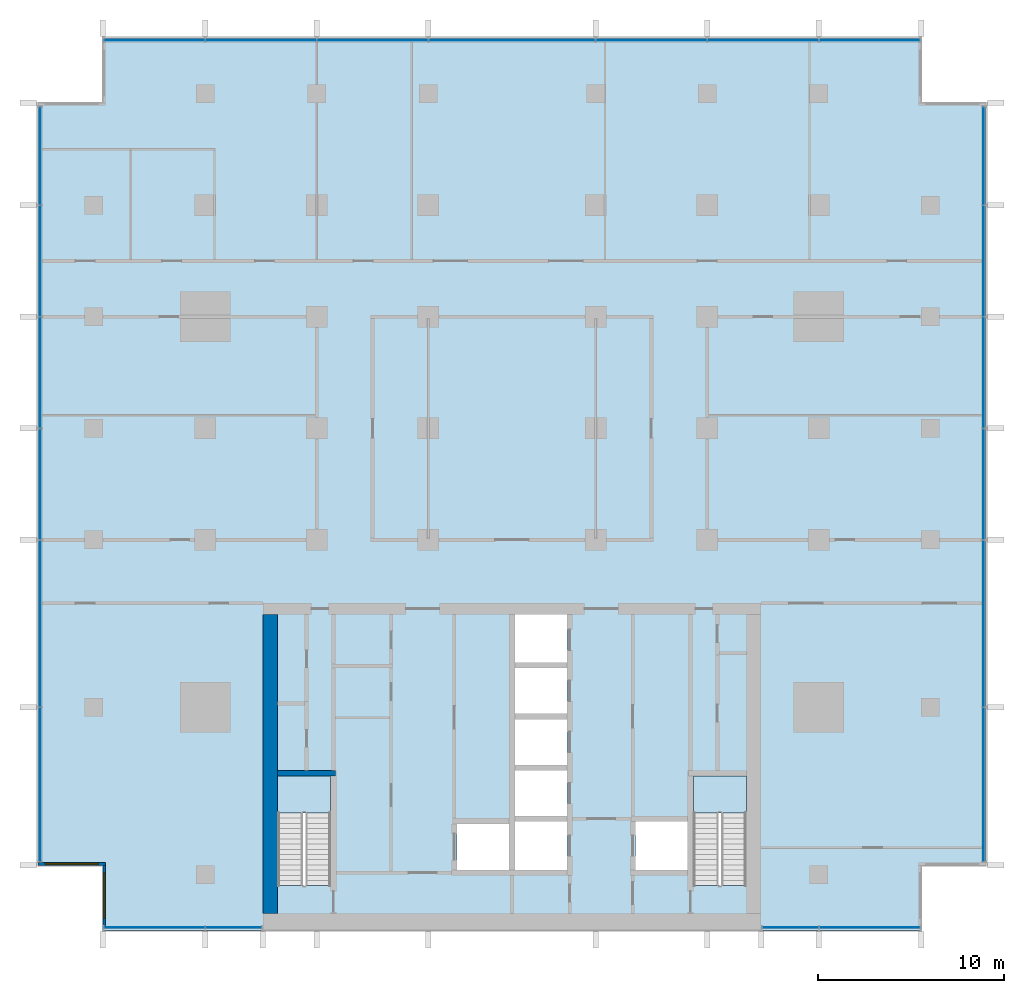
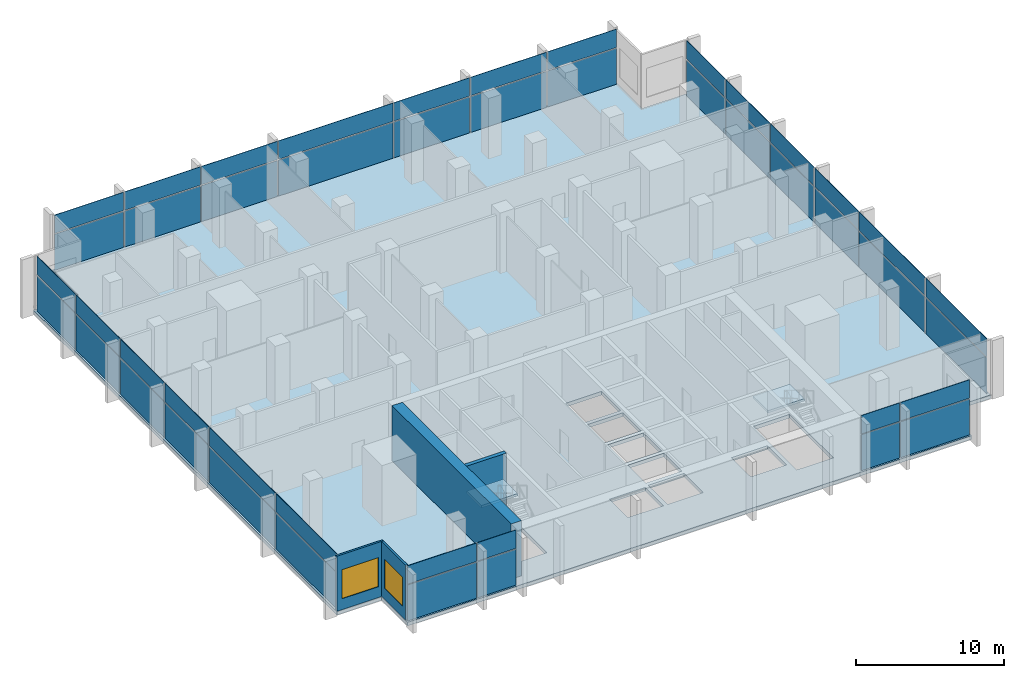
# One storey, part 6 of 15: 46 plates, 4 walls, 3 slabs, 2 windows, 2 openings, 7 elements without a shape of their own.
"""IFC4 building model written with IfcOpenShell, lengths in metres."""

from ifc_helpers import new_model, si_unit, direction, frame, frame_2d, origin, origin_2d, place, context, subcontext, project, spatial, polyline, rectangle, outline, extrude, material, layer, layer_set, type_object, element, fill, aggregate, save


model = new_model("IFC4")

# Units and contexts
model_context = context("Model", 3, precision=1e-05, world=origin(), true_north=direction((0.0, 1.0)))
body_context = subcontext(model_context, "Body", "Model", "MODEL_VIEW")
ifc_project = project(units=[si_unit("LENGTHUNIT", "METRE"), si_unit("AREAUNIT", "SQUARE_METRE"), si_unit("VOLUMEUNIT", "CUBIC_METRE"), si_unit("PLANEANGLEUNIT", "RADIAN"), si_unit("MASSUNIT", "GRAM", prefix="KILO")], contexts=[model_context])

# Site, building, storey
site_placement = place(None, origin())
site = spatial("IfcSite", under=ifc_project, at=site_placement, CompositionType="ELEMENT")
building_placement = place(site_placement, origin())
building = spatial("IfcBuilding", under=site, at=building_placement, Name="Finial Court Residences", CompositionType="ELEMENT")
storey_placement = place(building_placement, frame((0.0, 0.0, 138.89990234375)))
storey = spatial("IfcBuildingStorey", under=building, at=storey_placement, Name="L34", CompositionType="ELEMENT", Elevation=138.89990234375)

# Curtain wall, plates
ifc_material_1 = material(Name="Bronze anodised aluminium", Category="aluminium")
curtain_wall_type = type_object("IfcCurtainWallType", Name="Sky amenity glazing", PredefinedType="NOTDEFINED", material=ifc_material_1)
curtain_wall_1_placement = place(storey_placement, origin())
curtain_wall_1 = element("IfcCurtainWall", 1, at=curtain_wall_1_placement, inside=storey, type_object=curtain_wall_type, Name="E-L34-CW-N1", PredefinedType="NOTDEFINED")
ifc_material_2 = material(Name="Clear low-e glass", Category="glass")
ifc_layer_1 = layer(ifc_material_2, 0.035888671875)
ifc_layer_set_1 = layer_set([ifc_layer_1], Name="CW3 vision glass 36")
plate_type = type_object("IfcPlateType", Name="CW3 vision glass 36", PredefinedType="CURTAIN_PANEL", material=ifc_layer_set_1)
plate_1_placement = place(storey_placement, frame((-19.231201171875, 22.35009765625, 0.000244140625), z_axis=(0.0, 0.0, 1.0), x_axis=(1.0, 0.0, 0.0)))
plate_1 = element("IfcPlate", 2, at=plate_1_placement, type_object=plate_type, Name="CW3 glass 1.1", PredefinedType="CURTAIN_PANEL", context=body_context, shape_type="SweptSolid", body=[
    extrude(rectangle(XDim=5.387451171875, YDim=0.035888671875, at=origin_2d()), origin(), (0.0, 0.0, 1.0), 2.96240234375),
])
plate_2_placement = place(storey_placement, frame((-19.231201171875, 22.35009765625, 3.03759765625), z_axis=(0.0, 0.0, 1.0), x_axis=(1.0, 0.0, 0.0)))
plate_2 = element("IfcPlate", 3, at=plate_2_placement, type_object=plate_type, Name="CW3 glass 1.2", PredefinedType="CURTAIN_PANEL", context=body_context, shape_type="SweptSolid", body=[
    extrude(rectangle(XDim=5.387451171875, YDim=0.035888671875, at=origin_2d()), origin(), (0.0, 0.0, 1.0), 1.512451171875),
])
plate_3_placement = place(storey_placement, frame((-13.5, 22.35009765625, 0.000244140625), z_axis=(0.0, 0.0, 1.0), x_axis=(1.0, 0.0, 0.0)))
plate_3 = element("IfcPlate", 4, at=plate_3_placement, type_object=plate_type, Name="CW3 glass 2.1", PredefinedType="CURTAIN_PANEL", context=body_context, shape_type="SweptSolid", body=[
    extrude(rectangle(XDim=5.925048828125, YDim=0.035888671875, at=origin_2d()), origin(), (0.0, 0.0, 1.0), 2.96240234375),
])
plate_4_placement = place(storey_placement, frame((-13.5, 22.35009765625, 3.03759765625), z_axis=(0.0, 0.0, 1.0), x_axis=(1.0, 0.0, 0.0)))
plate_4 = element("IfcPlate", 5, at=plate_4_placement, type_object=plate_type, Name="CW3 glass 2.2", PredefinedType="CURTAIN_PANEL", context=body_context, shape_type="SweptSolid", body=[
    extrude(rectangle(XDim=5.925048828125, YDim=0.035888671875, at=origin_2d()), origin(), (0.0, 0.0, 1.0), 1.512451171875),
])
plate_5_placement = place(storey_placement, frame((-7.5, 22.35009765625, 0.000244140625), z_axis=(0.0, 0.0, 1.0), x_axis=(1.0, 0.0, 0.0)))
plate_5 = element("IfcPlate", 6, at=plate_5_placement, type_object=plate_type, Name="CW3 glass 3.1", PredefinedType="CURTAIN_PANEL", context=body_context, shape_type="SweptSolid", body=[
    extrude(rectangle(XDim=5.925048828125, YDim=0.035888671875, at=origin_2d()), origin(), (0.0, 0.0, 1.0), 2.96240234375),
])
plate_6_placement = place(storey_placement, frame((-7.5, 22.35009765625, 3.03759765625), z_axis=(0.0, 0.0, 1.0), x_axis=(1.0, 0.0, 0.0)))
plate_6 = element("IfcPlate", 7, at=plate_6_placement, type_object=plate_type, Name="CW3 glass 3.2", PredefinedType="CURTAIN_PANEL", context=body_context, shape_type="SweptSolid", body=[
    extrude(rectangle(XDim=5.925048828125, YDim=0.035888671875, at=origin_2d()), origin(), (0.0, 0.0, 1.0), 1.512451171875),
])
plate_7_placement = place(storey_placement, frame((0.0, 22.35009765625, 0.000244140625), z_axis=(0.0, 0.0, 1.0), x_axis=(1.0, 0.0, 0.0)))
plate_7 = element("IfcPlate", 8, at=plate_7_placement, type_object=plate_type, Name="CW3 glass 4.1", PredefinedType="CURTAIN_PANEL", context=body_context, shape_type="SweptSolid", body=[
    extrude(rectangle(XDim=8.925048828125, YDim=0.035888671875, at=origin_2d()), origin(), (0.0, 0.0, 1.0), 2.96240234375),
])
plate_8_placement = place(storey_placement, frame((0.0, 22.35009765625, 3.03759765625), z_axis=(0.0, 0.0, 1.0), x_axis=(1.0, 0.0, 0.0)))
plate_8 = element("IfcPlate", 9, at=plate_8_placement, type_object=plate_type, Name="CW3 glass 4.2", PredefinedType="CURTAIN_PANEL", context=body_context, shape_type="SweptSolid", body=[
    extrude(rectangle(XDim=8.925048828125, YDim=0.035888671875, at=origin_2d()), origin(), (0.0, 0.0, 1.0), 1.512451171875),
])
plate_9_placement = place(storey_placement, frame((7.5, 22.35009765625, 0.000244140625), z_axis=(0.0, 0.0, 1.0), x_axis=(1.0, 0.0, 0.0)))
plate_9 = element("IfcPlate", 10, at=plate_9_placement, type_object=plate_type, Name="CW3 glass 5.1", PredefinedType="CURTAIN_PANEL", context=body_context, shape_type="SweptSolid", body=[
    extrude(rectangle(XDim=5.925048828125, YDim=0.035888671875, at=origin_2d()), origin(), (0.0, 0.0, 1.0), 2.96240234375),
])
plate_10_placement = place(storey_placement, frame((7.5, 22.35009765625, 3.03759765625), z_axis=(0.0, 0.0, 1.0), x_axis=(1.0, 0.0, 0.0)))
plate_10 = element("IfcPlate", 11, at=plate_10_placement, type_object=plate_type, Name="CW3 glass 5.2", PredefinedType="CURTAIN_PANEL", context=body_context, shape_type="SweptSolid", body=[
    extrude(rectangle(XDim=5.925048828125, YDim=0.035888671875, at=origin_2d()), origin(), (0.0, 0.0, 1.0), 1.512451171875),
])
plate_11_placement = place(storey_placement, frame((13.5, 22.35009765625, 0.000244140625), z_axis=(0.0, 0.0, 1.0), x_axis=(1.0, 0.0, 0.0)))
plate_11 = element("IfcPlate", 12, at=plate_11_placement, type_object=plate_type, Name="CW3 glass 6.1", PredefinedType="CURTAIN_PANEL", context=body_context, shape_type="SweptSolid", body=[
    extrude(rectangle(XDim=5.925048828125, YDim=0.035888671875, at=origin_2d()), origin(), (0.0, 0.0, 1.0), 2.96240234375),
])
plate_12_placement = place(storey_placement, frame((13.5, 22.35009765625, 3.03759765625), z_axis=(0.0, 0.0, 1.0), x_axis=(1.0, 0.0, 0.0)))
plate_12 = element("IfcPlate", 13, at=plate_12_placement, type_object=plate_type, Name="CW3 glass 6.2", PredefinedType="CURTAIN_PANEL", context=body_context, shape_type="SweptSolid", body=[
    extrude(rectangle(XDim=5.925048828125, YDim=0.035888671875, at=origin_2d()), origin(), (0.0, 0.0, 1.0), 1.512451171875),
])
plate_13_placement = place(storey_placement, frame((19.231201171875, 22.35009765625, 0.000244140625), z_axis=(0.0, 0.0, 1.0), x_axis=(1.0, 0.0, 0.0)))
plate_13 = element("IfcPlate", 14, at=plate_13_placement, type_object=plate_type, Name="CW3 glass 7.1", PredefinedType="CURTAIN_PANEL", context=body_context, shape_type="SweptSolid", body=[
    extrude(rectangle(XDim=5.387451171875, YDim=0.035888671875, at=origin_2d()), origin(), (0.0, 0.0, 1.0), 2.96240234375),
])
plate_14_placement = place(storey_placement, frame((19.231201171875, 22.35009765625, 3.03759765625), z_axis=(0.0, 0.0, 1.0), x_axis=(1.0, 0.0, 0.0)))
plate_14 = element("IfcPlate", 15, at=plate_14_placement, type_object=plate_type, Name="CW3 glass 7.2", PredefinedType="CURTAIN_PANEL", context=body_context, shape_type="SweptSolid", body=[
    extrude(rectangle(XDim=5.387451171875, YDim=0.035888671875, at=origin_2d()), origin(), (0.0, 0.0, 1.0), 1.512451171875),
])
aggregate(curtain_wall_1, [plate_1, plate_2, plate_3, plate_4, plate_5, plate_6, plate_7, plate_8, plate_9, plate_10, plate_11, plate_12, plate_13, plate_14])

curtain_wall_2_placement = place(storey_placement, origin())
curtain_wall_2 = element("IfcCurtainWall", 16, at=curtain_wall_2_placement, inside=storey, type_object=curtain_wall_type, Name="E-L34-CW-E2", PredefinedType="NOTDEFINED")
plate_15_placement = place(storey_placement, frame((25.35009765625, -17.65625, 0.000244140625), z_axis=(0.0, 0.0, 1.0), x_axis=(0.0, 1.0, 0.0)))
plate_15 = element("IfcPlate", 17, at=plate_15_placement, type_object=plate_type, Name="CW3 glass 1.1", PredefinedType="CURTAIN_PANEL", context=body_context, shape_type="SweptSolid", body=[
    extrude(rectangle(XDim=8.237548828125, YDim=0.035888671875, at=origin_2d()), origin(), (0.0, 0.0, 1.0), 2.96240234375),
])
plate_16_placement = place(storey_placement, frame((25.35009765625, -17.65625, 3.03759765625), z_axis=(0.0, 0.0, 1.0), x_axis=(0.0, 1.0, 0.0)))
plate_16 = element("IfcPlate", 18, at=plate_16_placement, type_object=plate_type, Name="CW3 glass 1.2", PredefinedType="CURTAIN_PANEL", context=body_context, shape_type="SweptSolid", body=[
    extrude(rectangle(XDim=8.237548828125, YDim=0.035888671875, at=origin_2d()), origin(), (0.0, 0.0, 1.0), 1.512451171875),
])
plate_17_placement = place(storey_placement, frame((25.35009765625, -9.0, 0.000244140625), z_axis=(0.0, 0.0, 1.0), x_axis=(0.0, 1.0, 0.0)))
plate_17 = element("IfcPlate", 19, at=plate_17_placement, type_object=plate_type, Name="CW3 glass 2.1", PredefinedType="CURTAIN_PANEL", context=body_context, shape_type="SweptSolid", body=[
    extrude(rectangle(XDim=8.925048828125, YDim=0.035888671875, at=origin_2d()), origin(), (0.0, 0.0, 1.0), 2.96240234375),
])
plate_18_placement = place(storey_placement, frame((25.35009765625, -9.0, 3.03759765625), z_axis=(0.0, 0.0, 1.0), x_axis=(0.0, 1.0, 0.0)))
plate_18 = element("IfcPlate", 20, at=plate_18_placement, type_object=plate_type, Name="CW3 glass 2.2", PredefinedType="CURTAIN_PANEL", context=body_context, shape_type="SweptSolid", body=[
    extrude(rectangle(XDim=8.925048828125, YDim=0.035888671875, at=origin_2d()), origin(), (0.0, 0.0, 1.0), 1.512451171875),
])
plate_19_placement = place(storey_placement, frame((25.35009765625, -1.5, 0.000244140625), z_axis=(0.0, 0.0, 1.0), x_axis=(0.0, 1.0, 0.0)))
plate_19 = element("IfcPlate", 21, at=plate_19_placement, type_object=plate_type, Name="CW3 glass 3.1", PredefinedType="CURTAIN_PANEL", context=body_context, shape_type="SweptSolid", body=[
    extrude(rectangle(XDim=5.925048828125, YDim=0.035888671875, at=origin_2d()), origin(), (0.0, 0.0, 1.0), 2.96240234375),
])
plate_20_placement = place(storey_placement, frame((25.35009765625, -1.5, 3.03759765625), z_axis=(0.0, 0.0, 1.0), x_axis=(0.0, 1.0, 0.0)))
plate_20 = element("IfcPlate", 22, at=plate_20_placement, type_object=plate_type, Name="CW3 glass 3.2", PredefinedType="CURTAIN_PANEL", context=body_context, shape_type="SweptSolid", body=[
    extrude(rectangle(XDim=5.925048828125, YDim=0.035888671875, at=origin_2d()), origin(), (0.0, 0.0, 1.0), 1.512451171875),
])
plate_21_placement = place(storey_placement, frame((25.35009765625, 4.5, 0.000244140625), z_axis=(0.0, 0.0, 1.0), x_axis=(0.0, 1.0, 0.0)))
plate_21 = element("IfcPlate", 23, at=plate_21_placement, type_object=plate_type, Name="CW3 glass 4.1", PredefinedType="CURTAIN_PANEL", context=body_context, shape_type="SweptSolid", body=[
    extrude(rectangle(XDim=5.925048828125, YDim=0.035888671875, at=origin_2d()), origin(), (0.0, 0.0, 1.0), 2.96240234375),
])
plate_22_placement = place(storey_placement, frame((25.35009765625, 4.5, 3.03759765625), z_axis=(0.0, 0.0, 1.0), x_axis=(0.0, 1.0, 0.0)))
plate_22 = element("IfcPlate", 24, at=plate_22_placement, type_object=plate_type, Name="CW3 glass 4.2", PredefinedType="CURTAIN_PANEL", context=body_context, shape_type="SweptSolid", body=[
    extrude(rectangle(XDim=5.925048828125, YDim=0.035888671875, at=origin_2d()), origin(), (0.0, 0.0, 1.0), 1.512451171875),
])
plate_23_placement = place(storey_placement, frame((25.35009765625, 10.5, 0.000244140625), z_axis=(0.0, 0.0, 1.0), x_axis=(0.0, 1.0, 0.0)))
plate_23 = element("IfcPlate", 25, at=plate_23_placement, type_object=plate_type, Name="CW3 glass 5.1", PredefinedType="CURTAIN_PANEL", context=body_context, shape_type="SweptSolid", body=[
    extrude(rectangle(XDim=5.925048828125, YDim=0.035888671875, at=origin_2d()), origin(), (0.0, 0.0, 1.0), 2.96240234375),
])
plate_24_placement = place(storey_placement, frame((25.35009765625, 10.5, 3.03759765625), z_axis=(0.0, 0.0, 1.0), x_axis=(0.0, 1.0, 0.0)))
plate_24 = element("IfcPlate", 26, at=plate_24_placement, type_object=plate_type, Name="CW3 glass 5.2", PredefinedType="CURTAIN_PANEL", context=body_context, shape_type="SweptSolid", body=[
    extrude(rectangle(XDim=5.925048828125, YDim=0.035888671875, at=origin_2d()), origin(), (0.0, 0.0, 1.0), 1.512451171875),
])
plate_25_placement = place(storey_placement, frame((25.35009765625, 16.15625, 0.000244140625), z_axis=(0.0, 0.0, 1.0), x_axis=(0.0, 1.0, 0.0)))
plate_25 = element("IfcPlate", 27, at=plate_25_placement, type_object=plate_type, Name="CW3 glass 6.1", PredefinedType="CURTAIN_PANEL", context=body_context, shape_type="SweptSolid", body=[
    extrude(rectangle(XDim=5.237548828125, YDim=0.035888671875, at=origin_2d()), origin(), (0.0, 0.0, 1.0), 2.96240234375),
])
plate_26_placement = place(storey_placement, frame((25.35009765625, 16.15625, 3.03759765625), z_axis=(0.0, 0.0, 1.0), x_axis=(0.0, 1.0, 0.0)))
plate_26 = element("IfcPlate", 28, at=plate_26_placement, type_object=plate_type, Name="CW3 glass 6.2", PredefinedType="CURTAIN_PANEL", context=body_context, shape_type="SweptSolid", body=[
    extrude(rectangle(XDim=5.237548828125, YDim=0.035888671875, at=origin_2d()), origin(), (0.0, 0.0, 1.0), 1.512451171875),
])
aggregate(curtain_wall_2, [plate_15, plate_16, plate_17, plate_18, plate_19, plate_20, plate_21, plate_22, plate_23, plate_24, plate_25, plate_26])

curtain_wall_3_placement = place(storey_placement, origin())
curtain_wall_3 = element("IfcCurtainWall", 29, at=curtain_wall_3_placement, inside=storey, type_object=curtain_wall_type, Name="E-L34-CW-S3", PredefinedType="NOTDEFINED")
plate_27_placement = place(storey_placement, frame((-19.231201171875, -25.35009765625, 0.000244140625), z_axis=(0.0, 0.0, 1.0), x_axis=(1.0, 0.0, 0.0)))
plate_27 = element("IfcPlate", 30, at=plate_27_placement, type_object=plate_type, Name="CW3 glass 1.1", PredefinedType="CURTAIN_PANEL", context=body_context, shape_type="SweptSolid", body=[
    extrude(rectangle(XDim=5.387451171875, YDim=0.035888671875, at=origin_2d()), origin(), (0.0, 0.0, 1.0), 2.96240234375),
])
plate_28_placement = place(storey_placement, frame((-19.231201171875, -25.35009765625, 3.03759765625), z_axis=(0.0, 0.0, 1.0), x_axis=(1.0, 0.0, 0.0)))
plate_28 = element("IfcPlate", 31, at=plate_28_placement, type_object=plate_type, Name="CW3 glass 1.2", PredefinedType="CURTAIN_PANEL", context=body_context, shape_type="SweptSolid", body=[
    extrude(rectangle(XDim=5.387451171875, YDim=0.035888671875, at=origin_2d()), origin(), (0.0, 0.0, 1.0), 1.512451171875),
])
plate_29_placement = place(storey_placement, frame((-14.96875, -25.35009765625, 0.000244140625), z_axis=(0.0, 0.0, 1.0), x_axis=(1.0, 0.0, 0.0)))
plate_29 = element("IfcPlate", 32, at=plate_29_placement, type_object=plate_type, Name="CW3 glass 2.1", PredefinedType="CURTAIN_PANEL", context=body_context, shape_type="SweptSolid", body=[
    extrude(rectangle(XDim=2.987548828125, YDim=0.035888671875, at=origin_2d()), origin(), (0.0, 0.0, 1.0), 2.96240234375),
])
plate_30_placement = place(storey_placement, frame((-14.96875, -25.35009765625, 3.03759765625), z_axis=(0.0, 0.0, 1.0), x_axis=(1.0, 0.0, 0.0)))
plate_30 = element("IfcPlate", 33, at=plate_30_placement, type_object=plate_type, Name="CW3 glass 2.2", PredefinedType="CURTAIN_PANEL", context=body_context, shape_type="SweptSolid", body=[
    extrude(rectangle(XDim=2.987548828125, YDim=0.035888671875, at=origin_2d()), origin(), (0.0, 0.0, 1.0), 1.512451171875),
])
aggregate(curtain_wall_3, [plate_27, plate_28, plate_29, plate_30])

curtain_wall_4_placement = place(storey_placement, origin())
curtain_wall_4 = element("IfcCurtainWall", 34, at=curtain_wall_4_placement, inside=storey, type_object=curtain_wall_type, Name="E-L34-CW-S4", PredefinedType="NOTDEFINED")
plate_31_placement = place(storey_placement, frame((14.96875, -25.35009765625, 0.000244140625), z_axis=(0.0, 0.0, 1.0), x_axis=(1.0, 0.0, 0.0)))
plate_31 = element("IfcPlate", 35, at=plate_31_placement, type_object=plate_type, Name="CW3 glass 1.1", PredefinedType="CURTAIN_PANEL", context=body_context, shape_type="SweptSolid", body=[
    extrude(rectangle(XDim=2.987548828125, YDim=0.035888671875, at=origin_2d()), origin(), (0.0, 0.0, 1.0), 2.96240234375),
])
plate_32_placement = place(storey_placement, frame((14.96875, -25.35009765625, 3.03759765625), z_axis=(0.0, 0.0, 1.0), x_axis=(1.0, 0.0, 0.0)))
plate_32 = element("IfcPlate", 36, at=plate_32_placement, type_object=plate_type, Name="CW3 glass 1.2", PredefinedType="CURTAIN_PANEL", context=body_context, shape_type="SweptSolid", body=[
    extrude(rectangle(XDim=2.987548828125, YDim=0.035888671875, at=origin_2d()), origin(), (0.0, 0.0, 1.0), 1.512451171875),
])
plate_33_placement = place(storey_placement, frame((19.231201171875, -25.35009765625, 0.000244140625), z_axis=(0.0, 0.0, 1.0), x_axis=(1.0, 0.0, 0.0)))
plate_33 = element("IfcPlate", 37, at=plate_33_placement, type_object=plate_type, Name="CW3 glass 2.1", PredefinedType="CURTAIN_PANEL", context=body_context, shape_type="SweptSolid", body=[
    extrude(rectangle(XDim=5.387451171875, YDim=0.035888671875, at=origin_2d()), origin(), (0.0, 0.0, 1.0), 2.96240234375),
])
plate_34_placement = place(storey_placement, frame((19.231201171875, -25.35009765625, 3.03759765625), z_axis=(0.0, 0.0, 1.0), x_axis=(1.0, 0.0, 0.0)))
plate_34 = element("IfcPlate", 38, at=plate_34_placement, type_object=plate_type, Name="CW3 glass 2.2", PredefinedType="CURTAIN_PANEL", context=body_context, shape_type="SweptSolid", body=[
    extrude(rectangle(XDim=5.387451171875, YDim=0.035888671875, at=origin_2d()), origin(), (0.0, 0.0, 1.0), 1.512451171875),
])
aggregate(curtain_wall_4, [plate_31, plate_32, plate_33, plate_34])

curtain_wall_5_placement = place(storey_placement, origin())
curtain_wall_5 = element("IfcCurtainWall", 39, at=curtain_wall_5_placement, inside=storey, type_object=curtain_wall_type, Name="E-L34-CW-W5", PredefinedType="NOTDEFINED")
plate_35_placement = place(storey_placement, frame((-25.35009765625, -17.65625, 0.000244140625), z_axis=(0.0, 0.0, 1.0), x_axis=(0.0, 1.0, 0.0)))
plate_35 = element("IfcPlate", 40, at=plate_35_placement, type_object=plate_type, Name="CW3 glass 1.1", PredefinedType="CURTAIN_PANEL", context=body_context, shape_type="SweptSolid", body=[
    extrude(rectangle(XDim=8.237548828125, YDim=0.035888671875, at=origin_2d()), origin(), (0.0, 0.0, 1.0), 2.96240234375),
])
plate_36_placement = place(storey_placement, frame((-25.35009765625, -17.65625, 3.03759765625), z_axis=(0.0, 0.0, 1.0), x_axis=(0.0, 1.0, 0.0)))
plate_36 = element("IfcPlate", 41, at=plate_36_placement, type_object=plate_type, Name="CW3 glass 1.2", PredefinedType="CURTAIN_PANEL", context=body_context, shape_type="SweptSolid", body=[
    extrude(rectangle(XDim=8.237548828125, YDim=0.035888671875, at=origin_2d()), origin(), (0.0, 0.0, 1.0), 1.512451171875),
])
plate_37_placement = place(storey_placement, frame((-25.35009765625, -9.0, 0.000244140625), z_axis=(0.0, 0.0, 1.0), x_axis=(0.0, 1.0, 0.0)))
plate_37 = element("IfcPlate", 42, at=plate_37_placement, type_object=plate_type, Name="CW3 glass 2.1", PredefinedType="CURTAIN_PANEL", context=body_context, shape_type="SweptSolid", body=[
    extrude(rectangle(XDim=8.925048828125, YDim=0.035888671875, at=origin_2d()), origin(), (0.0, 0.0, 1.0), 2.96240234375),
])
plate_38_placement = place(storey_placement, frame((-25.35009765625, -9.0, 3.03759765625), z_axis=(0.0, 0.0, 1.0), x_axis=(0.0, 1.0, 0.0)))
plate_38 = element("IfcPlate", 43, at=plate_38_placement, type_object=plate_type, Name="CW3 glass 2.2", PredefinedType="CURTAIN_PANEL", context=body_context, shape_type="SweptSolid", body=[
    extrude(rectangle(XDim=8.925048828125, YDim=0.035888671875, at=origin_2d()), origin(), (0.0, 0.0, 1.0), 1.512451171875),
])
plate_39_placement = place(storey_placement, frame((-25.35009765625, -1.5, 0.000244140625), z_axis=(0.0, 0.0, 1.0), x_axis=(0.0, 1.0, 0.0)))
plate_39 = element("IfcPlate", 44, at=plate_39_placement, type_object=plate_type, Name="CW3 glass 3.1", PredefinedType="CURTAIN_PANEL", context=body_context, shape_type="SweptSolid", body=[
    extrude(rectangle(XDim=5.925048828125, YDim=0.035888671875, at=origin_2d()), origin(), (0.0, 0.0, 1.0), 2.96240234375),
])
plate_40_placement = place(storey_placement, frame((-25.35009765625, -1.5, 3.03759765625), z_axis=(0.0, 0.0, 1.0), x_axis=(0.0, 1.0, 0.0)))
plate_40 = element("IfcPlate", 45, at=plate_40_placement, type_object=plate_type, Name="CW3 glass 3.2", PredefinedType="CURTAIN_PANEL", context=body_context, shape_type="SweptSolid", body=[
    extrude(rectangle(XDim=5.925048828125, YDim=0.035888671875, at=origin_2d()), origin(), (0.0, 0.0, 1.0), 1.512451171875),
])
plate_41_placement = place(storey_placement, frame((-25.35009765625, 4.5, 0.000244140625), z_axis=(0.0, 0.0, 1.0), x_axis=(0.0, 1.0, 0.0)))
plate_41 = element("IfcPlate", 46, at=plate_41_placement, type_object=plate_type, Name="CW3 glass 4.1", PredefinedType="CURTAIN_PANEL", context=body_context, shape_type="SweptSolid", body=[
    extrude(rectangle(XDim=5.925048828125, YDim=0.035888671875, at=origin_2d()), origin(), (0.0, 0.0, 1.0), 2.96240234375),
])
plate_42_placement = place(storey_placement, frame((-25.35009765625, 4.5, 3.03759765625), z_axis=(0.0, 0.0, 1.0), x_axis=(0.0, 1.0, 0.0)))
plate_42 = element("IfcPlate", 47, at=plate_42_placement, type_object=plate_type, Name="CW3 glass 4.2", PredefinedType="CURTAIN_PANEL", context=body_context, shape_type="SweptSolid", body=[
    extrude(rectangle(XDim=5.925048828125, YDim=0.035888671875, at=origin_2d()), origin(), (0.0, 0.0, 1.0), 1.512451171875),
])
plate_43_placement = place(storey_placement, frame((-25.35009765625, 10.5, 0.000244140625), z_axis=(0.0, 0.0, 1.0), x_axis=(0.0, 1.0, 0.0)))
plate_43 = element("IfcPlate", 48, at=plate_43_placement, type_object=plate_type, Name="CW3 glass 5.1", PredefinedType="CURTAIN_PANEL", context=body_context, shape_type="SweptSolid", body=[
    extrude(rectangle(XDim=5.925048828125, YDim=0.035888671875, at=origin_2d()), origin(), (0.0, 0.0, 1.0), 2.96240234375),
])
plate_44_placement = place(storey_placement, frame((-25.35009765625, 10.5, 3.03759765625), z_axis=(0.0, 0.0, 1.0), x_axis=(0.0, 1.0, 0.0)))
plate_44 = element("IfcPlate", 49, at=plate_44_placement, type_object=plate_type, Name="CW3 glass 5.2", PredefinedType="CURTAIN_PANEL", context=body_context, shape_type="SweptSolid", body=[
    extrude(rectangle(XDim=5.925048828125, YDim=0.035888671875, at=origin_2d()), origin(), (0.0, 0.0, 1.0), 1.512451171875),
])
plate_45_placement = place(storey_placement, frame((-25.35009765625, 16.15625, 0.000244140625), z_axis=(0.0, 0.0, 1.0), x_axis=(0.0, 1.0, 0.0)))
plate_45 = element("IfcPlate", 50, at=plate_45_placement, type_object=plate_type, Name="CW3 glass 6.1", PredefinedType="CURTAIN_PANEL", context=body_context, shape_type="SweptSolid", body=[
    extrude(rectangle(XDim=5.237548828125, YDim=0.035888671875, at=origin_2d()), origin(), (0.0, 0.0, 1.0), 2.96240234375),
])
plate_46_placement = place(storey_placement, frame((-25.35009765625, 16.15625, 3.03759765625), z_axis=(0.0, 0.0, 1.0), x_axis=(0.0, 1.0, 0.0)))
plate_46 = element("IfcPlate", 51, at=plate_46_placement, type_object=plate_type, Name="CW3 glass 6.2", PredefinedType="CURTAIN_PANEL", context=body_context, shape_type="SweptSolid", body=[
    extrude(rectangle(XDim=5.237548828125, YDim=0.035888671875, at=origin_2d()), origin(), (0.0, 0.0, 1.0), 1.512451171875),
])
aggregate(curtain_wall_5, [plate_35, plate_36, plate_37, plate_38, plate_39, plate_40, plate_41, plate_42, plate_43, plate_44, plate_45, plate_46])

# Stair, slab
ifc_material_3 = material(Name="Concrete C50/60", Category="concrete")
stair_type = type_object("IfcStairType", Name="Exit stair 30 risers of 166.7 mm", PredefinedType="HALF_TURN_STAIR", material=ifc_material_3)
stair_1_placement = place(storey_placement, origin())
stair_1 = element("IfcStair", 52, at=stair_1_placement, inside=storey, type_object=stair_type, Name="L34 Exit stair ST-1", PredefinedType="HALF_TURN_STAIR")
ifc_layer_2 = layer(ifc_material_3, 0.199951171875)
ifc_layer_set_2 = layer_set([ifc_layer_2], Name="Exit stair landing")
slab_type_1 = type_object("IfcSlabType", Name="Exit stair landing", PredefinedType="LANDING", material=ifc_layer_set_2)
slab_1_placement = place(storey_placement, frame((0.0, 0.0, 2.300048828125)))
slab_1 = element("IfcSlab", 53, at=slab_1_placement, type_object=slab_type_1, Name="ST-1 landing 1", PredefinedType="LANDING", context=body_context, shape_type="SweptSolid", body=[
    extrude(outline(polyline([(-9.75, -19.179931640625), (-9.75, -17.199951171875), (-12.60009765625, -17.199951171875), (-12.60009765625, -19.179931640625), (-9.75, -19.179931640625)])), origin(), (0.0, 0.0, 1.0), 0.199951171875),
])
aggregate(stair_1, [slab_1])

stair_2_placement = place(storey_placement, origin())
stair_2 = element("IfcStair", 54, at=stair_2_placement, inside=storey, type_object=stair_type, Name="L34 Exit stair ST-2", PredefinedType="HALF_TURN_STAIR")
slab_2_placement = place(storey_placement, frame((0.0, 0.0, 2.300048828125)))
slab_2 = element("IfcSlab", 55, at=slab_2_placement, type_object=slab_type_1, Name="ST-2 landing 1", PredefinedType="LANDING", context=body_context, shape_type="SweptSolid", body=[
    extrude(outline(polyline([(12.60009765625, -19.179931640625), (12.60009765625, -17.199951171875), (9.75, -17.199951171875), (9.75, -19.179931640625), (12.60009765625, -19.179931640625)])), origin(), (0.0, 0.0, 1.0), 0.199951171875),
])
aggregate(stair_2, [slab_2])

# Slab
ifc_material_4 = material(Name="Concrete C40/50", Category="concrete")
ifc_layer_3 = layer(ifc_material_4, 0.300048828125)
ifc_layer_set_3 = layer_set([ifc_layer_3], Name="Flat plate slab 300 Concrete C40/50")
slab_type_2 = type_object("IfcSlabType", Name="Flat plate slab 300 Concrete C40/50", PredefinedType="FLOOR", material=ifc_layer_set_3)
slab_3_placement = place(storey_placement, frame((0.0, 0.0, -0.2998046875)))
element("IfcSlab", 56, at=slab_3_placement, inside=storey, type_object=slab_type_2, Name="S:SLAB:L34", PredefinedType="FLOOR", context=body_context, shape_type="SweptSolid", body=[
    extrude(outline(polyline([(22.0, -25.5), (-22.0, -25.5), (-22.0, -22.0), (-25.5, -22.0), (-25.5, 19.0), (-22.0, 19.0), (-22.0, 22.5), (22.0, 22.5), (22.0, 19.0), (25.5, 19.0), (25.5, -22.0), (22.0, -22.0), (22.0, -25.5)]), holes=[polyline([(-0.14990234375, -19.77001953125), (-2.949951171875, -19.77001953125), (-2.949951171875, -22.25), (-0.14990234375, -22.25), (-0.14990234375, -19.77001953125)]), polyline([(2.949951171875, -19.64990234375), (0.14990234375, -19.64990234375), (0.14990234375, -22.25), (2.949951171875, -22.25), (2.949951171875, -19.64990234375)]), polyline([(9.449951171875, -19.64990234375), (6.64990234375, -19.64990234375), (6.64990234375, -22.25), (9.449951171875, -22.25), (9.449951171875, -19.64990234375)]), polyline([(-12.60009765625, -17.199951171875), (-12.60009765625, -23.09912109375), (-9.75, -23.09912109375), (-9.75, -17.199951171875), (-12.60009765625, -17.199951171875)]), polyline([(9.75, -17.199951171875), (9.75, -23.09912109375), (12.60009765625, -23.09912109375), (12.60009765625, -17.199951171875), (9.75, -17.199951171875)]), polyline([(2.949951171875, -16.89990234375), (0.14990234375, -16.89990234375), (0.14990234375, -19.35009765625), (2.949951171875, -19.35009765625), (2.949951171875, -16.89990234375)]), polyline([(2.949951171875, -14.14990234375), (0.14990234375, -14.14990234375), (0.14990234375, -16.60009765625), (2.949951171875, -16.60009765625), (2.949951171875, -14.14990234375)]), polyline([(2.949951171875, -13.85009765625), (2.949951171875, -11.39990234375), (0.14990234375, -11.39990234375), (0.14990234375, -13.85009765625), (2.949951171875, -13.85009765625)]), polyline([(2.949951171875, -11.10009765625), (2.949951171875, -8.5), (0.14990234375, -8.5), (0.14990234375, -11.10009765625), (2.949951171875, -11.10009765625)])]), origin(), (0.0, 0.0, 1.0), 0.2998046875),
])

# Walls
ifc_material_5 = material(Name="Concrete C70/85", Category="concrete")
ifc_layer_4 = layer(ifc_material_5, 0.800048828125)
ifc_layer_set_4 = layer_set([ifc_layer_4], Name="Core outer wall 800 Concrete C70/85")
wall_type_1 = type_object("IfcWallType", Name="Core outer wall 800 Concrete C70/85", PredefinedType="SHEAR", material=ifc_layer_set_4)
wall_1_placement = place(storey_placement, frame((-13.0, -24.60009765625, 0.0), z_axis=(0.0, 0.0, 1.0), x_axis=(0.0, 1.0, 0.0)))
element("IfcWall", 57, at=wall_1_placement, inside=storey, type_object=wall_type_1, Name="Core outer wall L34-03", PredefinedType="SHEAR", context=body_context, shape_type="SweptSolid", body=[
    extrude(rectangle(XDim=16.10009765625, YDim=0.800048828125, at=frame_2d((8.050048828125, 0.0))), origin(), (0.0, 0.0, 1.0), 4.550048828125),
])
ifc_layer_5 = layer(ifc_material_5, 0.300048828125)
ifc_layer_set_5 = layer_set([ifc_layer_5], Name="Lift shaft and stair wall 300 Concrete C70/85")
wall_type_2 = type_object("IfcWallType", Name="Lift shaft and stair wall 300 Concrete C70/85", PredefinedType="SHEAR", material=ifc_layer_set_5)
wall_2_placement = place(storey_placement, frame((-12.60009765625, -17.050048828125, 0.0), z_axis=(0.0, 0.0, 1.0), x_axis=(1.0, 0.0, 0.0)))
element("IfcWall", 58, at=wall_2_placement, inside=storey, type_object=wall_type_2, Name="Core wall L34-08", PredefinedType="SHEAR", context=body_context, shape_type="SweptSolid", body=[
    extrude(rectangle(XDim=3.10009765625, YDim=0.300048828125, at=frame_2d((1.550048828125, 0.0))), origin(), (0.0, 0.0, 1.0), 4.550048828125),
])

# Wall, opening, window
ifc_material_6 = material(Name="Natural limestone", Category="masonry")
ifc_layer_6 = layer(ifc_material_6, 0.14990234375)
ifc_layer_set_6 = layer_set([ifc_layer_6], Name="Limestone clad wall 150")
wall_type_3 = type_object("IfcWallType", Name="Limestone clad wall 150", PredefinedType="SOLIDWALL", material=ifc_layer_set_6)
wall_3_placement = place(storey_placement, frame((-21.925048828125, -25.237548828125, 0.0), z_axis=(0.0, 0.0, 1.0), x_axis=(0.0, 1.0, 0.0)))
wall_3 = element("IfcWall", 59, at=wall_3_placement, inside=storey, type_object=wall_type_3, Name="E-L34-NWW6", PredefinedType="SOLIDWALL", context=body_context, shape_type="SweptSolid", body=[
    extrude(rectangle(XDim=3.237548828125, YDim=0.14990234375, at=frame_2d((1.61865234375, 0.0))), origin(), (0.0, 0.0, 1.0), 4.550048828125),
])
opening_1_placement = place(wall_3_placement, frame((0.398681640625, 0.0, 0.89990234375)))
opening_1 = element("IfcOpeningElement", 60, at=opening_1_placement, cuts=wall_3, Name="Opening WE34-01", PredefinedType="OPENING", context=body_context, shape_type="SweptSolid", body=[
    extrude(rectangle(XDim=2.43994140625, YDim=2.39990234375, at=frame_2d((1.219970703125, 1.199951171875))), frame((0.0, 0.0849609375, 0.0), z_axis=(0.0, -1.0, 0.0), x_axis=(1.0, 0.0, 0.0)), (0.0, 0.0, 1.0), 0.169921875),
])
window_type_1 = type_object("IfcWindowType", Name="Corner window 2440 x 2400", PartitioningType="SINGLE_PANEL", PredefinedType="WINDOW", material=ifc_material_2)
window_1_placement = place(opening_1_placement, origin())
window_1 = element("IfcWindow", 61, at=window_1_placement, inside=storey, type_object=window_type_1, Name="E-L34-NWW6-W1", OverallHeight=2.39990234375, OverallWidth=2.43994140625, PartitioningType="SINGLE_PANEL", PredefinedType="WINDOW", context=body_context, shape_type="SweptSolid", body=[
    extrude(rectangle(XDim=2.43994140625, YDim=2.39990234375, at=frame_2d((1.219970703125, 1.199951171875))), frame((0.0, 0.030029296875, 0.0), z_axis=(0.0, -1.0, 0.0), x_axis=(1.0, 0.0, 0.0)), (0.0, 0.0, 1.0), 0.06005859375),
])
fill(opening_1, window_1)

wall_4_placement = place(storey_placement, frame((-21.85009765625, -21.925048828125, 0.0), z_axis=(0.0, 0.0, 1.0), x_axis=(-1.0, 0.0, 0.0)))
wall_4 = element("IfcWall", 62, at=wall_4_placement, inside=storey, type_object=wall_type_3, Name="E-L34-NWS7", PredefinedType="SOLIDWALL", context=body_context, shape_type="SweptSolid", body=[
    extrude(rectangle(XDim=3.64990234375, YDim=0.14990234375, at=frame_2d((1.824951171875, 0.0))), origin(), (0.0, 0.0, 1.0), 4.550048828125),
])
opening_2_placement = place(wall_4_placement, frame((0.39990234375, 0.0, 0.89990234375)))
opening_2 = element("IfcOpeningElement", 63, at=opening_2_placement, cuts=wall_4, Name="Opening WE34-02", PredefinedType="OPENING", context=body_context, shape_type="SweptSolid", body=[
    extrude(rectangle(XDim=2.85009765625, YDim=2.39990234375, at=frame_2d((1.425048828125, 1.199951171875))), frame((0.0, 0.0849609375, 0.0), z_axis=(0.0, -1.0, 0.0), x_axis=(1.0, 0.0, 0.0)), (0.0, 0.0, 1.0), 0.169921875),
])
window_type_2 = type_object("IfcWindowType", Name="Corner window 2850 x 2400", PartitioningType="SINGLE_PANEL", PredefinedType="WINDOW", material=ifc_material_2)
window_2_placement = place(opening_2_placement, origin())
window_2 = element("IfcWindow", 64, at=window_2_placement, inside=storey, type_object=window_type_2, Name="E-L34-NWS7-W1", OverallHeight=2.39990234375, OverallWidth=2.85009765625, PartitioningType="SINGLE_PANEL", PredefinedType="WINDOW", context=body_context, shape_type="SweptSolid", body=[
    extrude(rectangle(XDim=2.85009765625, YDim=2.39990234375, at=frame_2d((1.425048828125, 1.199951171875))), frame((0.0, 0.030029296875, 0.0), z_axis=(0.0, -1.0, 0.0), x_axis=(1.0, 0.0, 0.0)), (0.0, 0.0, 1.0), 0.06005859375),
])
fill(opening_2, window_2)

save(model, "model.ifc")
